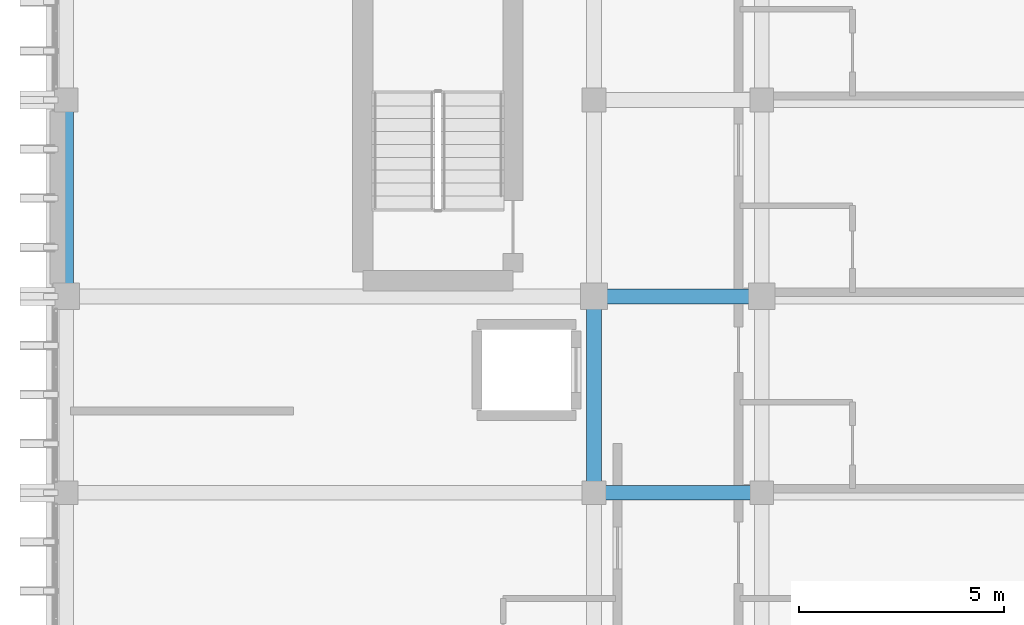
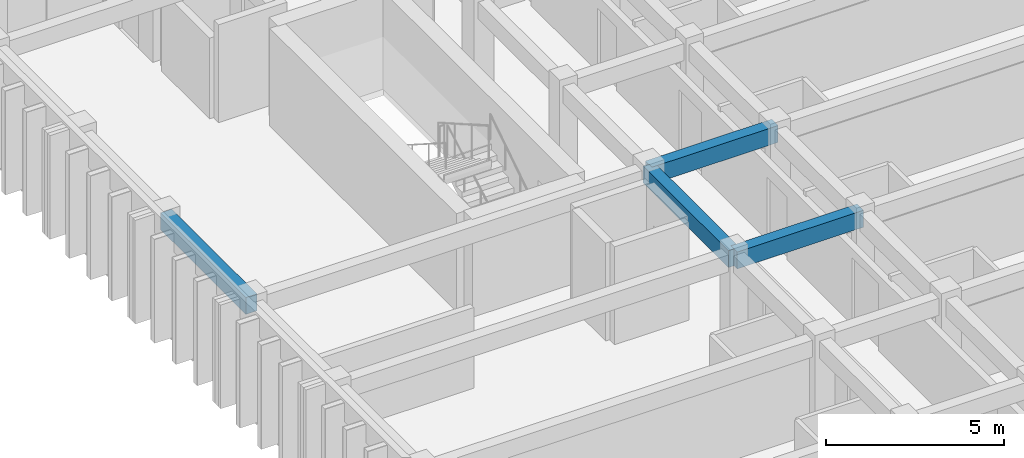
# One storey, part 10 of 49: 4 beams.
"""IFC4 building model written with IfcOpenShell, lengths in metres."""

from ifc_helpers import new_model, si_unit, direction, frame, origin, origin_2d, place, context, subcontext, project, spatial, rectangle, extrude, material, material_profile, profile_set, type_object, element, save


model = new_model("IFC4")

# Units and contexts
model_context = context("Model", 3, precision=1e-05, world=origin(), true_north=direction((0.0, 1.0)))
body_context = subcontext(model_context, "Body", "Model", "MODEL_VIEW")
ifc_project = project(units=[si_unit("LENGTHUNIT", "METRE"), si_unit("AREAUNIT", "SQUARE_METRE"), si_unit("VOLUMEUNIT", "CUBIC_METRE"), si_unit("PLANEANGLEUNIT", "RADIAN"), si_unit("MASSUNIT", "GRAM", prefix="KILO")], contexts=[model_context])

# Site, building, storey
site_placement = place(None, origin())
site = spatial("IfcSite", under=ifc_project, at=site_placement, CompositionType="ELEMENT")
building_placement = place(site_placement, origin())
building = spatial("IfcBuilding", under=site, at=building_placement, Name="Nakhvara Creek Congress Hotel", CompositionType="ELEMENT")
storey_placement = place(building_placement, frame((0.0, 0.0, 39.0)))
storey = spatial("IfcBuildingStorey", under=building, at=storey_placement, Name="L09", CompositionType="ELEMENT", Elevation=39.0)

# Beams
ifc_material = material(Name="Concrete C40/50", Category="concrete")
ifc_material_profile = material_profile(ifc_material, rectangle(XDim=0.360107421875, YDim=0.580078125, at=origin_2d()), Name="RC-BM 360x580", Category="LoadBearing")
ifc_profile_set = profile_set([ifc_material_profile], Name="Concrete C40/50")
beam_type = type_object("IfcBeamType", Name="BM-RC-360X580", PredefinedType="BEAM", material=ifc_profile_set)
beam_1_placement = place(storey_placement, frame((149.449951171875, 76.800048828125, 3.070068359375), z_axis=(0.0, 1.0, 0.0), x_axis=(-1.0, 0.0, 0.0)))
element("IfcBeam", 1, at=beam_1_placement, inside=storey, type_object=beam_type, Name="Beam B09-L09-2540", PredefinedType="BEAM", context=body_context, shape_type="SweptSolid", body=[
    extrude(rectangle(XDim=0.360107421875, YDim=0.580078125, at=origin_2d()), origin(), (0.0, 0.0, 1.0), 4.800048828125),
])
beam_2_placement = place(storey_placement, frame((162.35009765625, 76.800048828125, 3.070068359375), z_axis=(1.0, 0.0, 0.0), x_axis=(0.0, 1.0, 0.0)))
element("IfcBeam", 2, at=beam_2_placement, inside=storey, type_object=beam_type, Name="Beam B09-L09-2558", PredefinedType="BEAM", context=body_context, shape_type="SweptSolid", body=[
    extrude(rectangle(XDim=0.360107421875, YDim=0.580078125, at=origin_2d()), origin(), (0.0, 0.0, 1.0), 4.099853515625),
])
beam_3_placement = place(storey_placement, frame((162.35009765625, 72.0, 3.070068359375), z_axis=(0.0, 1.0, 0.0), x_axis=(-1.0, 0.0, 0.0)))
element("IfcBeam", 3, at=beam_3_placement, inside=storey, type_object=beam_type, Name="Beam B09-L09-2559", PredefinedType="BEAM", context=body_context, shape_type="SweptSolid", body=[
    extrude(rectangle(XDim=0.360107421875, YDim=0.580078125, at=origin_2d()), origin(), (0.0, 0.0, 1.0), 4.800048828125),
])
beam_4_placement = place(storey_placement, frame((162.35009765625, 72.0, 3.070068359375), z_axis=(1.0, 0.0, 0.0), x_axis=(0.0, 1.0, 0.0)))
element("IfcBeam", 4, at=beam_4_placement, inside=storey, type_object=beam_type, Name="Beam B09-L09-2617", PredefinedType="BEAM", context=body_context, shape_type="SweptSolid", body=[
    extrude(rectangle(XDim=0.360107421875, YDim=0.580078125, at=origin_2d()), origin(), (0.0, 0.0, 1.0), 4.099853515625),
])

save(model, "model.ifc")
